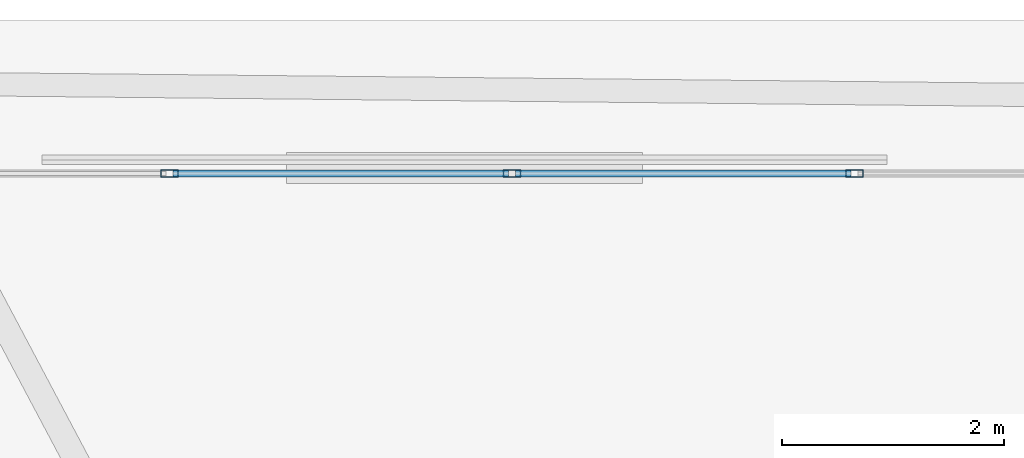
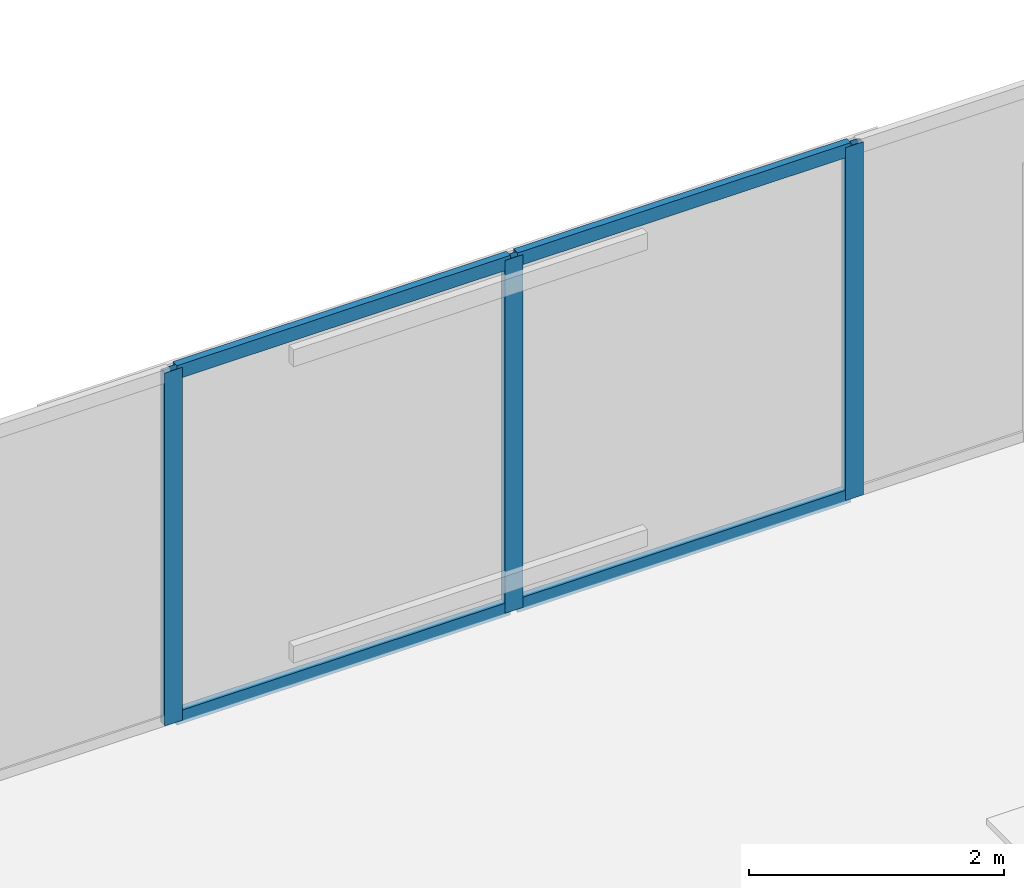
# One storey, part 28 of 39: 7 members, 1 element without a shape of its own.
"""IFC4 building model written with IfcOpenShell, lengths in metres."""

from ifc_helpers import new_model, si_unit, direction, frame, origin, origin_2d, place, context, subcontext, project, spatial, hollow_rectangle, extrude, material, layer, layer_set, material_profile, profile_set, type_object, element, aggregate, save


model = new_model("IFC4")

# Units and contexts
model_context = context("Model", 3, precision=1e-05, world=origin(), true_north=direction((0.0, 1.0)))
body_context = subcontext(model_context, "Body", "Model", "MODEL_VIEW")
ifc_project = project(units=[si_unit("LENGTHUNIT", "METRE"), si_unit("AREAUNIT", "SQUARE_METRE"), si_unit("VOLUMEUNIT", "CUBIC_METRE"), si_unit("PLANEANGLEUNIT", "RADIAN"), si_unit("MASSUNIT", "GRAM", prefix="KILO")], contexts=[model_context])

# Site, building, storey
site_placement = place(None, origin())
site = spatial("IfcSite", under=ifc_project, at=site_placement, CompositionType="ELEMENT")
building_placement = place(site_placement, origin())
building = spatial("IfcBuilding", under=site, at=building_placement, Name="Caelvoria Tower", CompositionType="ELEMENT")
storey_placement = place(building_placement, frame((0.0, 0.0, 198.60009765625)))
storey = spatial("IfcBuildingStorey", under=building, at=storey_placement, Name="L52", CompositionType="ELEMENT", Elevation=198.60009765625)

# Curtain wall, members
ifc_material_1 = material(Name="Anodised Bronze Aluminium and Low-E Glass", Category="aluminium")
ifc_layer = layer(ifc_material_1, 0.175048828125, Name="Anodised Bronze Aluminium and Low-E Glass")
ifc_layer_set = layer_set([ifc_layer], Name="CW System 4 High-Zone Tapered Crystal Facade - Anodised Bronze Aluminium and Low-E Glass")
curtain_wall_type = type_object("IfcCurtainWallType", Name="CW System 4 High-Zone Tapered Crystal Facade", PredefinedType="NOTDEFINED", material=ifc_layer_set)
curtain_wall_placement = place(storey_placement, origin())
curtain_wall = element("IfcCurtainWall", 1, at=curtain_wall_placement, inside=storey, type_object=curtain_wall_type, Name="CW-04 Curtain Wall L52-E4", PredefinedType="NOTDEFINED")
ifc_material_2 = material(Name="Anodised Bronze Architectural Aluminium", Category="aluminium")
ifc_material_profile_1 = material_profile(ifc_material_2, hollow_rectangle(XDim=0.06494140625, YDim=0.159912109375, WallThickness=0.00390625, at=origin_2d()), Name="Anodised Bronze Architectural Aluminium")
ifc_profile_set_1 = profile_set([ifc_material_profile_1], Name="CW_MULL_65X160 - Anodised Bronze Architectural Aluminium")
member_type_1 = type_object("IfcMemberType", Name="Curtain Wall Mullion 65x160 Bronze Aluminium", PredefinedType="MULLION", material=ifc_profile_set_1)
member_1_placement = place(storey_placement, frame((39.840087890625, 50.419921875, 0.0), z_axis=(0.0, 0.0, 1.0), x_axis=(0.0, -1.0, 0.0)))
member_1 = element("IfcMember", 2, at=member_1_placement, type_object=member_type_1, Name="CW-04 mullion 8", PredefinedType="MULLION", context=body_context, shape_type="SweptSolid", body=[
    extrude(hollow_rectangle(XDim=0.06494140625, YDim=0.159912109375, WallThickness=0.00390625, at=origin_2d()), origin(), (0.0, 0.0, 1.0), 3.375),
])
member_2_placement = place(storey_placement, frame((36.760009765625, 50.419921875, 0.0), z_axis=(0.0, 0.0, 1.0), x_axis=(0.0, -1.0, 0.0)))
member_2 = element("IfcMember", 3, at=member_2_placement, type_object=member_type_1, Name="CW-04 mullion 9", PredefinedType="MULLION", context=body_context, shape_type="SweptSolid", body=[
    extrude(hollow_rectangle(XDim=0.06494140625, YDim=0.159912109375, WallThickness=0.00390625, at=origin_2d()), origin(), (0.0, 0.0, 1.0), 3.375),
])
member_3_placement = place(storey_placement, frame((33.679931640625, 50.419921875, 0.0), z_axis=(0.0, 0.0, 1.0), x_axis=(0.0, -1.0, 0.0)))
member_3 = element("IfcMember", 4, at=member_3_placement, type_object=member_type_1, Name="CW-04 mullion 10", PredefinedType="MULLION", context=body_context, shape_type="SweptSolid", body=[
    extrude(hollow_rectangle(XDim=0.06494140625, YDim=0.159912109375, WallThickness=0.00390625, at=origin_2d()), origin(), (0.0, 0.0, 1.0), 3.375),
])
ifc_material_profile_2 = material_profile(ifc_material_2, hollow_rectangle(XDim=0.06494140625, YDim=0.1298828125, WallThickness=0.00341796875, at=origin_2d()), Name="Anodised Bronze Architectural Aluminium")
ifc_profile_set_2 = profile_set([ifc_material_profile_2], Name="CW_TRAN_65X130 - Anodised Bronze Architectural Aluminium")
member_type_2 = type_object("IfcMemberType", Name="Curtain Wall Transom 65x130 Bronze Aluminium", PredefinedType="USERDEFINED", material=ifc_profile_set_2)
member_4_placement = place(storey_placement, frame((39.8076171875, 50.419921875, 0.032470703125), z_axis=(-1.0, 0.0, 0.0), x_axis=(0.0, -1.0, 0.0)))
member_4 = element("IfcMember", 5, at=member_4_placement, type_object=member_type_2, Name="CW-04 transom 8.1", ObjectType="TRANSOM", PredefinedType="USERDEFINED", context=body_context, shape_type="SweptSolid", body=[
    extrude(hollow_rectangle(XDim=0.06494140625, YDim=0.1298828125, WallThickness=0.00341796875, at=origin_2d()), origin(), (0.0, 0.0, 1.0), 3.01513671875),
])
member_5_placement = place(storey_placement, frame((39.8076171875, 50.419921875, 3.34228515625), z_axis=(-1.0, 0.0, 0.0), x_axis=(0.0, -1.0, 0.0)))
member_5 = element("IfcMember", 6, at=member_5_placement, type_object=member_type_2, Name="CW-04 transom 8.2", ObjectType="TRANSOM", PredefinedType="USERDEFINED", context=body_context, shape_type="SweptSolid", body=[
    extrude(hollow_rectangle(XDim=0.06494140625, YDim=0.1298828125, WallThickness=0.00341796875, at=origin_2d()), origin(), (0.0, 0.0, 1.0), 3.01513671875),
])
member_6_placement = place(storey_placement, frame((36.7275390625, 50.419921875, 0.032470703125), z_axis=(-1.0, 0.0, 0.0), x_axis=(0.0, -1.0, 0.0)))
member_6 = element("IfcMember", 7, at=member_6_placement, type_object=member_type_2, Name="CW-04 transom 9.1", ObjectType="TRANSOM", PredefinedType="USERDEFINED", context=body_context, shape_type="SweptSolid", body=[
    extrude(hollow_rectangle(XDim=0.06494140625, YDim=0.1298828125, WallThickness=0.00341796875, at=origin_2d()), origin(), (0.0, 0.0, 1.0), 3.01513671875),
])
member_7_placement = place(storey_placement, frame((36.7275390625, 50.419921875, 3.34228515625), z_axis=(-1.0, 0.0, 0.0), x_axis=(0.0, -1.0, 0.0)))
member_7 = element("IfcMember", 8, at=member_7_placement, type_object=member_type_2, Name="CW-04 transom 9.2", ObjectType="TRANSOM", PredefinedType="USERDEFINED", context=body_context, shape_type="SweptSolid", body=[
    extrude(hollow_rectangle(XDim=0.06494140625, YDim=0.1298828125, WallThickness=0.00341796875, at=origin_2d()), origin(), (0.0, 0.0, 1.0), 3.01513671875),
])
aggregate(curtain_wall, [member_1, member_2, member_3, member_4, member_5, member_6, member_7])

save(model, "model.ifc")
